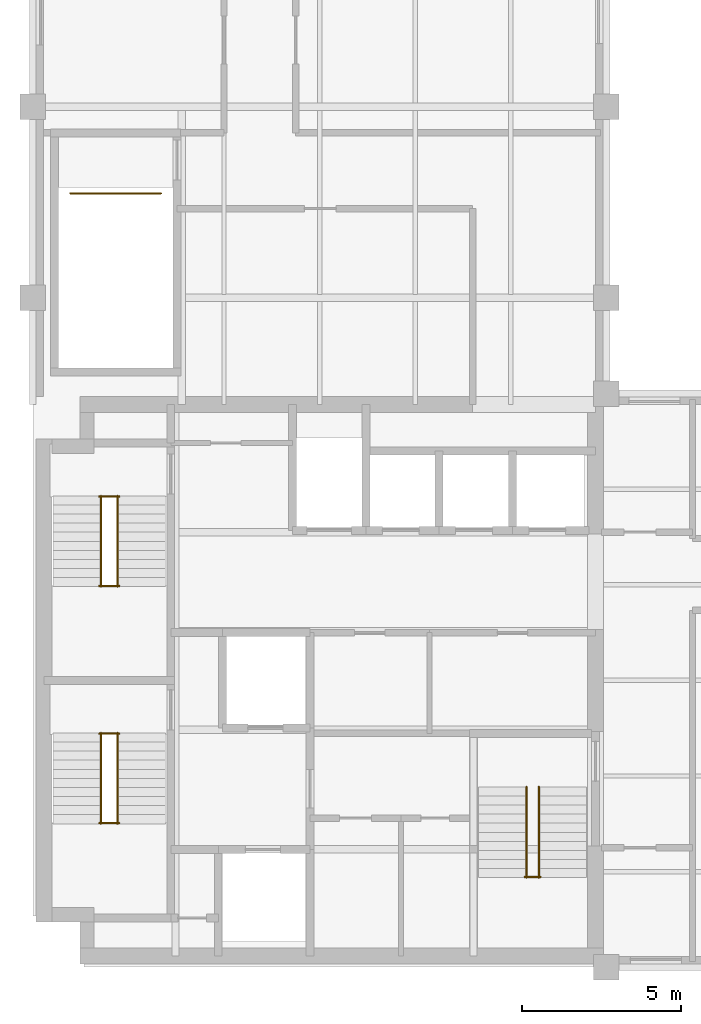
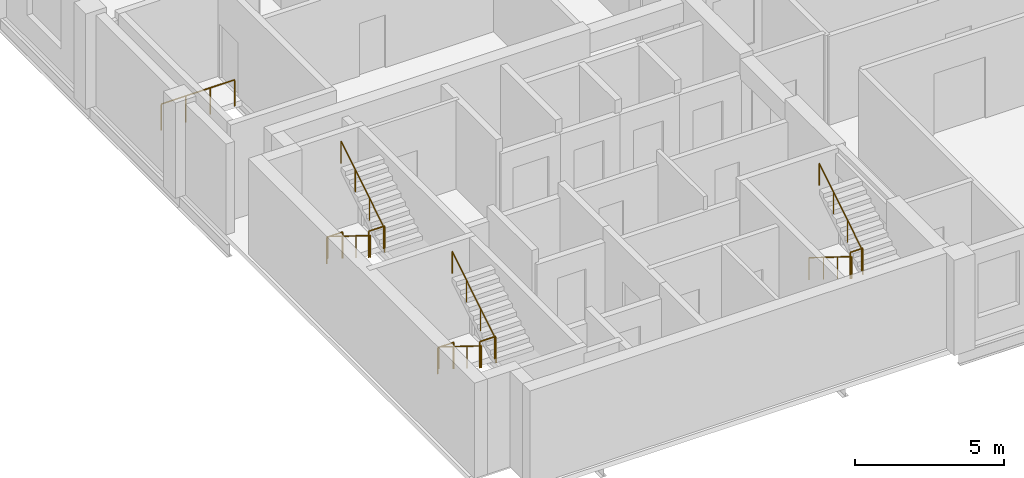
# One storey, part 6 of 6: 12 railings.
"""IFC4 building model written with IfcOpenShell, lengths in metres."""

from ifc_helpers import new_model, si_unit, direction, frame, origin, origin_2d, place, context, subcontext, project, spatial, circle, extrude, material, type_object, element, save


model = new_model("IFC4")

# Units and contexts
model_context = context("Model", 3, precision=1e-05, world=origin(), true_north=direction((0.0, 1.0)))
body_context = subcontext(model_context, "Body", "Model", "MODEL_VIEW")
ifc_project = project(units=[si_unit("LENGTHUNIT", "METRE"), si_unit("AREAUNIT", "SQUARE_METRE"), si_unit("VOLUMEUNIT", "CUBIC_METRE"), si_unit("PLANEANGLEUNIT", "RADIAN"), si_unit("MASSUNIT", "GRAM", prefix="KILO")], contexts=[model_context])

# Site, building, storey
site_placement = place(None, origin())
site = spatial("IfcSite", under=ifc_project, at=site_placement, CompositionType="ELEMENT")
building_placement = place(site_placement, origin())
building = spatial("IfcBuilding", under=site, at=building_placement, Name="Mawjdan Bourse Tower", CompositionType="ELEMENT")
storey_placement = place(building_placement, frame((0.0, 0.0, 250.800048828125)))
storey = spatial("IfcBuildingStorey", under=building, at=storey_placement, Name="L61", CompositionType="ELEMENT", Elevation=250.800048828125)

# Railings
ifc_material_1 = material(Name="Structural Steel S355", Category="steel")
railing_type_1 = type_object("IfcRailingType", Name="RLG-GRD-1100", PredefinedType="GUARDRAIL", material=ifc_material_1)
for number, where, name in (
    (1, (8.090087890625, 7.52001953125, 1.949951171875), "L61 ST1 Landing Guardrail GL-MID"),
    (2, (8.090087890625, 10.330078125, 0.0), "L61 ST1 Landing Guardrail GL-BOT"),
    (3, (8.090087890625, 14.9599609375, 1.949951171875), "L61 ST2 Landing Guardrail GL-MID"),
    (4, (8.090087890625, 17.77001953125, 0.0), "L61 ST2 Landing Guardrail GL-BOT"),
):
    element("IfcRailing", number, at=place(storey_placement, frame(where)), inside=storey, type_object=railing_type_1, Name=name, PredefinedType="GUARDRAIL", context=body_context, shape_type="SweptSolid", body=[
        extrude(circle(Radius=0.02490234375, at=origin_2d()), frame((0.0, 0.0, 1.0751953125), z_axis=(1.0, 0.0, 0.0), x_axis=(0.0, 1.0, 0.0)), (0.0, 0.0, 1.0), 0.619873046875),
        extrude(circle(Radius=0.02099609375, at=origin_2d()), origin(), (0.0, 0.0, 1.0), 1.050048828125),
        extrude(circle(Radius=0.02099609375, at=origin_2d()), frame((0.619873046875, 0.0, 0.0)), (0.0, 0.0, 1.0), 1.050048828125),
    ])
railing_1_placement = place(storey_placement, frame((7.179931640625, 27.280029296875, 0.0)))
element("IfcRailing", 5, at=railing_1_placement, inside=storey, type_object=railing_type_1, Name="L61 ST3 Top Well Guardrail", PredefinedType="GUARDRAIL", context=body_context, shape_type="SweptSolid", body=[
    extrude(circle(Radius=0.02490234375, at=origin_2d()), frame((0.0, 0.0, 1.0751953125), z_axis=(1.0, 0.0, 0.0), x_axis=(0.0, 1.0, 0.0)), (0.0, 0.0, 1.0), 2.840087890625),
    extrude(circle(Radius=0.02099609375, at=origin_2d()), origin(), (0.0, 0.0, 1.0), 1.050048828125),
    extrude(circle(Radius=0.02099609375, at=origin_2d()), frame((0.94677734375, 0.0, 0.0)), (0.0, 0.0, 1.0), 1.050048828125),
    extrude(circle(Radius=0.02099609375, at=origin_2d()), frame((1.893310546875, 0.0, 0.0)), (0.0, 0.0, 1.0), 1.050048828125),
    extrude(circle(Radius=0.02099609375, at=origin_2d()), frame((2.840087890625, 0.0, 0.0)), (0.0, 0.0, 1.0), 1.050048828125),
])
railing_2_placement = place(storey_placement, frame((21.43994140625, 5.830078125, 1.949951171875)))
element("IfcRailing", 6, at=railing_2_placement, inside=storey, type_object=railing_type_1, Name="L61 ST7 Landing Guardrail GL-MID", PredefinedType="GUARDRAIL", context=body_context, shape_type="SweptSolid", body=[
    extrude(circle(Radius=0.02490234375, at=origin_2d()), frame((0.0, 0.0, 1.0751953125), z_axis=(1.0, 0.0, 0.0), x_axis=(0.0, 1.0, 0.0)), (0.0, 0.0, 1.0), 0.489990234375),
    extrude(circle(Radius=0.02099609375, at=origin_2d()), origin(), (0.0, 0.0, 1.0), 1.050048828125),
    extrude(circle(Radius=0.02099609375, at=origin_2d()), frame((0.489990234375, 0.0, 0.0)), (0.0, 0.0, 1.0), 1.050048828125),
])
ifc_material_2 = material(Name="Brushed Stainless Steel", Category="steel")
railing_type_2 = type_object("IfcRailingType", Name="RLG-HND-920", PredefinedType="HANDRAIL", material=ifc_material_2)
railing_3_placement = place(storey_placement, frame((8.139892578125, 10.35009765625, 0.17724609375)))
element("IfcRailing", 7, at=railing_3_placement, inside=storey, type_object=railing_type_2, Name="L61 ST1 Flight Handrail HR1", PredefinedType="HANDRAIL", context=body_context, shape_type="SweptSolid", body=[
    extrude(circle(Radius=0.0224609375, at=origin_2d()), frame((0.0, 0.0, 0.8974609375), z_axis=(0.0, -0.849148672731, 0.528153890072), x_axis=(1.0, 0.0, 0.0)), (0.0, 0.0, 1.0), 3.3564453125),
    extrude(circle(Radius=0.01904296875, at=origin_2d()), origin(), (0.0, 0.0, 1.0), 0.875),
    extrude(circle(Radius=0.01904296875, at=origin_2d()), frame((0.0, -0.949951171875, 0.5908203125)), (0.0, 0.0, 1.0), 0.875),
    extrude(circle(Radius=0.01904296875, at=origin_2d()), frame((0.0, -1.900146484375, 1.181884765625)), (0.0, 0.0, 1.0), 0.875),
    extrude(circle(Radius=0.01904296875, at=origin_2d()), frame((0.0, -2.85009765625, 1.772705078125)), (0.0, 0.0, 1.0), 0.875),
])
railing_4_placement = place(storey_placement, frame((8.659912109375, 7.5, 2.127197265625)))
element("IfcRailing", 8, at=railing_4_placement, inside=storey, type_object=railing_type_2, Name="L61 ST1 Flight Handrail HR2", PredefinedType="HANDRAIL", context=body_context, shape_type="SweptSolid", body=[
    extrude(circle(Radius=0.0224609375, at=origin_2d()), frame((0.0, 0.0, 0.8974609375), z_axis=(0.0, 0.849148672731, 0.528153890072), x_axis=(-1.0, 0.0, 0.0)), (0.0, 0.0, 1.0), 3.3564453125),
    extrude(circle(Radius=0.01904296875, at=origin_2d()), origin(), (0.0, 0.0, 1.0), 0.875),
    extrude(circle(Radius=0.01904296875, at=origin_2d()), frame((0.0, 0.949951171875, 0.5908203125)), (0.0, 0.0, 1.0), 0.875),
    extrude(circle(Radius=0.01904296875, at=origin_2d()), frame((0.0, 1.900146484375, 1.181884765625)), (0.0, 0.0, 1.0), 0.875),
    extrude(circle(Radius=0.01904296875, at=origin_2d()), frame((0.0, 2.85009765625, 1.772705078125)), (0.0, 0.0, 1.0), 0.875),
])
railing_5_placement = place(storey_placement, frame((8.139892578125, 17.7900390625, 0.17724609375)))
element("IfcRailing", 9, at=railing_5_placement, inside=storey, type_object=railing_type_2, Name="L61 ST2 Flight Handrail HR1", PredefinedType="HANDRAIL", context=body_context, shape_type="SweptSolid", body=[
    extrude(circle(Radius=0.0224609375, at=origin_2d()), frame((0.0, 0.0, 0.8974609375), z_axis=(0.0, -0.849148672731, 0.528153890072), x_axis=(1.0, 0.0, 0.0)), (0.0, 0.0, 1.0), 3.3564453125),
    extrude(circle(Radius=0.01904296875, at=origin_2d()), origin(), (0.0, 0.0, 1.0), 0.875),
    extrude(circle(Radius=0.01904296875, at=origin_2d()), frame((0.0, -0.949951171875, 0.5908203125)), (0.0, 0.0, 1.0), 0.875),
    extrude(circle(Radius=0.01904296875, at=origin_2d()), frame((0.0, -1.900146484375, 1.181884765625)), (0.0, 0.0, 1.0), 0.875),
    extrude(circle(Radius=0.01904296875, at=origin_2d()), frame((0.0, -2.85009765625, 1.772705078125)), (0.0, 0.0, 1.0), 0.875),
])
railing_6_placement = place(storey_placement, frame((8.659912109375, 14.93994140625, 2.127197265625)))
element("IfcRailing", 10, at=railing_6_placement, inside=storey, type_object=railing_type_2, Name="L61 ST2 Flight Handrail HR2", PredefinedType="HANDRAIL", context=body_context, shape_type="SweptSolid", body=[
    extrude(circle(Radius=0.0224609375, at=origin_2d()), frame((0.0, 0.0, 0.8974609375), z_axis=(0.0, 0.849148672731, 0.528153890072), x_axis=(-1.0, 0.0, 0.0)), (0.0, 0.0, 1.0), 3.3564453125),
    extrude(circle(Radius=0.01904296875, at=origin_2d()), origin(), (0.0, 0.0, 1.0), 0.875),
    extrude(circle(Radius=0.01904296875, at=origin_2d()), frame((0.0, 0.949951171875, 0.5908203125)), (0.0, 0.0, 1.0), 0.875),
    extrude(circle(Radius=0.01904296875, at=origin_2d()), frame((0.0, 1.900146484375, 1.181884765625)), (0.0, 0.0, 1.0), 0.875),
    extrude(circle(Radius=0.01904296875, at=origin_2d()), frame((0.0, 2.85009765625, 1.772705078125)), (0.0, 0.0, 1.0), 0.875),
])
railing_7_placement = place(storey_placement, frame((21.489990234375, 8.659912109375, 0.17724609375)))
element("IfcRailing", 11, at=railing_7_placement, inside=storey, type_object=railing_type_2, Name="L61 ST7 Flight Handrail HR1", PredefinedType="HANDRAIL", context=body_context, shape_type="SweptSolid", body=[
    extrude(circle(Radius=0.0224609375, at=origin_2d()), frame((0.0, 0.0, 0.8974609375), z_axis=(0.0, -0.849128380713, 0.528186513523), x_axis=(1.0, 0.0, 0.0)), (0.0, 0.0, 1.0), 3.356201171875),
    extrude(circle(Radius=0.01904296875, at=origin_2d()), origin(), (0.0, 0.0, 1.0), 0.875),
    extrude(circle(Radius=0.01904296875, at=origin_2d()), frame((0.0, -0.949951171875, 0.5908203125)), (0.0, 0.0, 1.0), 0.875),
    extrude(circle(Radius=0.01904296875, at=origin_2d()), frame((0.0, -1.89990234375, 1.181884765625)), (0.0, 0.0, 1.0), 0.875),
    extrude(circle(Radius=0.01904296875, at=origin_2d()), frame((0.0, -2.849853515625, 1.772705078125)), (0.0, 0.0, 1.0), 0.875),
])
railing_8_placement = place(storey_placement, frame((21.8798828125, 5.81005859375, 2.127197265625)))
element("IfcRailing", 12, at=railing_8_placement, inside=storey, type_object=railing_type_2, Name="L61 ST7 Flight Handrail HR2", PredefinedType="HANDRAIL", context=body_context, shape_type="SweptSolid", body=[
    extrude(circle(Radius=0.0224609375, at=origin_2d()), frame((0.0, 0.0, 0.8974609375), z_axis=(0.0, 0.849128380713, 0.528186513523), x_axis=(-1.0, 0.0, 0.0)), (0.0, 0.0, 1.0), 3.356201171875),
    extrude(circle(Radius=0.01904296875, at=origin_2d()), origin(), (0.0, 0.0, 1.0), 0.875),
    extrude(circle(Radius=0.01904296875, at=origin_2d()), frame((0.0, 0.949951171875, 0.5908203125)), (0.0, 0.0, 1.0), 0.875),
    extrude(circle(Radius=0.01904296875, at=origin_2d()), frame((0.0, 1.89990234375, 1.181884765625)), (0.0, 0.0, 1.0), 0.875),
    extrude(circle(Radius=0.01904296875, at=origin_2d()), frame((0.0, 2.849853515625, 1.772705078125)), (0.0, 0.0, 1.0), 0.875),
])

save(model, "model.ifc")
